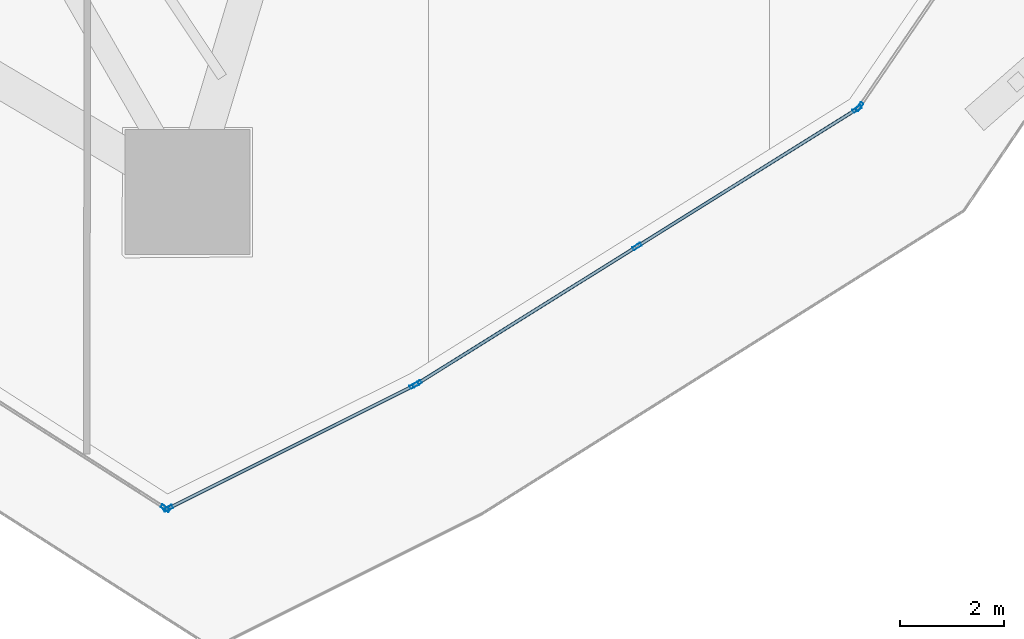
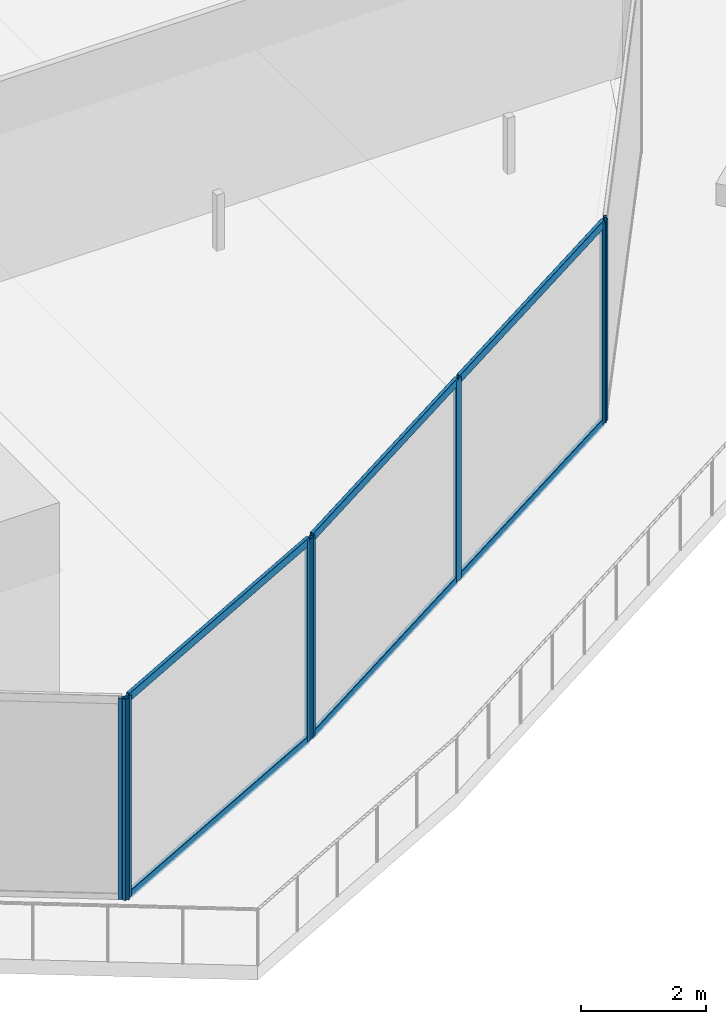
# One storey, part 10 of 44: 13 members, 4 elements without a shape of their own.
"""IFC4 building model written with IfcOpenShell, lengths in metres."""

from ifc_helpers import new_model, si_unit, direction, frame, origin, origin_2d, place, context, subcontext, project, spatial, hollow_rectangle, extrude, material, layer, layer_set, material_profile, profile_set, type_object, element, aggregate, save


model = new_model("IFC4")

# Units and contexts
model_context = context("Model", 3, precision=1e-05, world=origin(), true_north=direction((0.0, 1.0)))
body_context = subcontext(model_context, "Body", "Model", "MODEL_VIEW")
ifc_project = project(units=[si_unit("LENGTHUNIT", "METRE"), si_unit("AREAUNIT", "SQUARE_METRE"), si_unit("VOLUMEUNIT", "CUBIC_METRE"), si_unit("PLANEANGLEUNIT", "RADIAN"), si_unit("MASSUNIT", "GRAM", prefix="KILO")], contexts=[model_context])

# Site, building, storey
site_placement = place(None, origin())
site = spatial("IfcSite", under=ifc_project, at=site_placement, CompositionType="ELEMENT")
building_placement = place(site_placement, origin())
building = spatial("IfcBuilding", under=site, at=building_placement, Name="Qorvath Tower", CompositionType="ELEMENT")
storey_placement = place(building_placement, frame((0.0, 0.0, 45.0)))
storey = spatial("IfcBuildingStorey", under=building, at=storey_placement, Name="L09", CompositionType="ELEMENT", Elevation=45.0)

# Curtain wall, member
ifc_material_1 = material(Name="Anodised aluminium and triple low-E glass", Category="aluminium")
ifc_layer = layer(ifc_material_1, 0.179931640625)
ifc_layer_set = layer_set([ifc_layer], Name="CW-SYS-2")
curtain_wall_type = type_object("IfcCurtainWallType", Name="CW-SYS-2", PredefinedType="NOTDEFINED", material=ifc_layer_set)
curtain_wall_1_placement = place(storey_placement, origin())
curtain_wall_1 = element("IfcCurtainWall", 1, at=curtain_wall_1_placement, inside=storey, type_object=curtain_wall_type, Name="Curtain Wall CW-2 CW-T-L09-2.2", PredefinedType="NOTDEFINED")
ifc_material_2 = material(Name="Anodised aluminium 6063-T6", Category="aluminium")
ifc_material_profile_1 = material_profile(ifc_material_2, hollow_rectangle(XDim=0.06494140625, YDim=0.179931640625, WallThickness=0.00341796875, InnerFilletRadius=0.00341796875, OuterFilletRadius=0.007080078125, at=origin_2d()), Name="CWM 180x65")
ifc_profile_set_1 = profile_set([ifc_material_profile_1], Name="Anodised aluminium 6063-T6")
member_type_1 = type_object("IfcMemberType", Name="CWM-180", PredefinedType="MULLION", material=ifc_profile_set_1)
member_1_placement = place(storey_placement, frame((-14.891357421875, -33.390380859375, 0.0), z_axis=(0.0, 0.0, 1.0), x_axis=(0.538536571861, 0.842602136698, 0.0)))
member_1 = element("IfcMember", 2, at=member_1_placement, type_object=member_type_1, Name="CW-2 mullion 7", PredefinedType="MULLION", context=body_context, shape_type="SweptSolid", body=[
    extrude(hollow_rectangle(XDim=0.06494140625, YDim=0.179931640625, WallThickness=0.00341796875, InnerFilletRadius=0.00341796875, OuterFilletRadius=0.007080078125, at=origin_2d()), origin(), (0.0, 0.0, 1.0), 3.919921875),
])
aggregate(curtain_wall_1, [member_1])

# Curtain wall, members
curtain_wall_2_placement = place(storey_placement, origin())
curtain_wall_2 = element("IfcCurtainWall", 3, at=curtain_wall_2_placement, inside=storey, type_object=curtain_wall_type, Name="Curtain Wall CW-2 CW-T-L09-3.1", PredefinedType="NOTDEFINED")
member_2_placement = place(storey_placement, frame((-14.8349609375, -33.3935546875, 0.0), z_axis=(0.0, 0.0, 1.0), x_axis=(-0.447258573792, 0.89440470044, 0.0)))
member_2 = element("IfcMember", 4, at=member_2_placement, type_object=member_type_1, Name="CW-2 mullion 1", PredefinedType="MULLION", context=body_context, shape_type="SweptSolid", body=[
    extrude(hollow_rectangle(XDim=0.06494140625, YDim=0.179931640625, WallThickness=0.00341796875, InnerFilletRadius=0.00341796875, OuterFilletRadius=0.007080078125, at=origin_2d()), origin(), (0.0, 0.0, 1.0), 3.919921875),
])
member_3_placement = place(storey_placement, frame((-10.12060546875, -31.0361328125, 0.0), z_axis=(0.0, 0.0, 1.0), x_axis=(-0.447258573792, 0.89440470044, 0.0)))
member_3 = element("IfcMember", 5, at=member_3_placement, type_object=member_type_1, Name="CW-2 mullion 2", PredefinedType="MULLION", context=body_context, shape_type="SweptSolid", body=[
    extrude(hollow_rectangle(XDim=0.06494140625, YDim=0.179931640625, WallThickness=0.00341796875, InnerFilletRadius=0.00341796875, OuterFilletRadius=0.007080078125, at=origin_2d()), origin(), (0.0, 0.0, 1.0), 3.919921875),
])

curtain_wall_3_placement = place(storey_placement, origin())
curtain_wall_3 = element("IfcCurtainWall", 6, at=curtain_wall_3_placement, inside=storey, type_object=curtain_wall_type, Name="Curtain Wall CW-2 CW-T-L09-4.1", PredefinedType="NOTDEFINED")
member_4_placement = place(storey_placement, frame((-10.06396484375, -31.00439453125, 0.0), z_axis=(0.0, 0.0, 1.0), x_axis=(-0.529724040691, 0.848170054125, 0.0)))
member_4 = element("IfcMember", 7, at=member_4_placement, type_object=member_type_1, Name="CW-2 mullion 1", PredefinedType="MULLION", context=body_context, shape_type="SweptSolid", body=[
    extrude(hollow_rectangle(XDim=0.06494140625, YDim=0.179931640625, WallThickness=0.00341796875, InnerFilletRadius=0.00341796875, OuterFilletRadius=0.007080078125, at=origin_2d()), origin(), (0.0, 0.0, 1.0), 3.919921875),
])
member_5_placement = place(storey_placement, frame((-5.847900390625, -28.37109375, 0.0), z_axis=(0.0, 0.0, 1.0), x_axis=(-0.529724040691, 0.848170054125, 0.0)))
member_5 = element("IfcMember", 8, at=member_5_placement, type_object=member_type_1, Name="CW-2 mullion 2", PredefinedType="MULLION", context=body_context, shape_type="SweptSolid", body=[
    extrude(hollow_rectangle(XDim=0.06494140625, YDim=0.179931640625, WallThickness=0.00341796875, InnerFilletRadius=0.00341796875, OuterFilletRadius=0.007080078125, at=origin_2d()), origin(), (0.0, 0.0, 1.0), 3.919921875),
])
member_6_placement = place(storey_placement, frame((-1.6318359375, -25.738037109375, 0.0), z_axis=(0.0, 0.0, 1.0), x_axis=(-0.529724040691, 0.848170054125, 0.0)))
member_6 = element("IfcMember", 9, at=member_6_placement, type_object=member_type_1, Name="CW-2 mullion 3", PredefinedType="MULLION", context=body_context, shape_type="SweptSolid", body=[
    extrude(hollow_rectangle(XDim=0.06494140625, YDim=0.179931640625, WallThickness=0.00341796875, InnerFilletRadius=0.00341796875, OuterFilletRadius=0.007080078125, at=origin_2d()), origin(), (0.0, 0.0, 1.0), 3.919921875),
])

# Curtain wall, member
curtain_wall_4_placement = place(storey_placement, origin())
curtain_wall_4 = element("IfcCurtainWall", 10, at=curtain_wall_4_placement, inside=storey, type_object=curtain_wall_type, Name="Curtain Wall CW-2 CW-T-L09-5.1", PredefinedType="NOTDEFINED")
member_7_placement = place(storey_placement, frame((-1.5859375, -25.69384765625, 0.0), z_axis=(0.0, 0.0, 1.0), x_axis=(-0.825849008834, 0.563891314535, 0.0)))
member_7 = element("IfcMember", 11, at=member_7_placement, type_object=member_type_1, Name="CW-2 mullion 1", PredefinedType="MULLION", context=body_context, shape_type="SweptSolid", body=[
    extrude(hollow_rectangle(XDim=0.06494140625, YDim=0.179931640625, WallThickness=0.00341796875, InnerFilletRadius=0.00341796875, OuterFilletRadius=0.007080078125, at=origin_2d()), origin(), (0.0, 0.0, 1.0), 3.919921875),
])
aggregate(curtain_wall_4, [member_7])

# Member
ifc_material_3 = material(Name="Anodised aluminium 6063-T6", Category="aluminium")
ifc_material_profile_2 = material_profile(ifc_material_3, hollow_rectangle(XDim=0.06494140625, YDim=0.159912109375, WallThickness=0.00341796875, InnerFilletRadius=0.00341796875, OuterFilletRadius=0.007080078125, at=origin_2d()), Name="CWT 160x65")
ifc_profile_set_2 = profile_set([ifc_material_profile_2], Name="Anodised aluminium 6063-T6")
member_type_2 = type_object("IfcMemberType", Name="CWT-160", PredefinedType="USERDEFINED", material=ifc_profile_set_2)
member_8_placement = place(storey_placement, frame((-14.805908203125, -33.37890625, 0.032470703125), z_axis=(0.894408431647, 0.447251112239, 0.0), x_axis=(-0.447251112239, 0.894408431647, 0.0)))
member_8 = element("IfcMember", 12, at=member_8_placement, type_object=member_type_2, Name="CW-2 transom 1.1", ObjectType="TRANSOM", PredefinedType="USERDEFINED", context=body_context, shape_type="SweptSolid", body=[
    extrude(hollow_rectangle(XDim=0.06494140625, YDim=0.159912109375, WallThickness=0.00341796875, InnerFilletRadius=0.00341796875, OuterFilletRadius=0.007080078125, at=origin_2d()), origin(), (0.0, 0.0, 1.0), 5.2060546875),
])

member_9_placement = place(storey_placement, frame((-14.805908203125, -33.37890625, 3.887451171875), z_axis=(0.894408431647, 0.447251112239, 0.0), x_axis=(-0.447251112239, 0.894408431647, 0.0)))
member_9 = element("IfcMember", 13, at=member_9_placement, type_object=member_type_2, Name="CW-2 transom 1.2", ObjectType="TRANSOM", PredefinedType="USERDEFINED", context=body_context, shape_type="SweptSolid", body=[
    extrude(hollow_rectangle(XDim=0.06494140625, YDim=0.159912109375, WallThickness=0.00341796875, InnerFilletRadius=0.00341796875, OuterFilletRadius=0.007080078125, at=origin_2d()), origin(), (0.0, 0.0, 1.0), 5.2060546875),
])

aggregate(curtain_wall_2, [member_2, member_3, member_8, member_9])

member_10_placement = place(storey_placement, frame((-10.036376953125, -30.987060546875, 0.032470703125), z_axis=(0.848174397851, 0.52971708565, 0.0), x_axis=(-0.52971708565, 0.848174397851, 0.0)))
member_10 = element("IfcMember", 14, at=member_10_placement, type_object=member_type_2, Name="CW-2 transom 1.1", ObjectType="TRANSOM", PredefinedType="USERDEFINED", context=body_context, shape_type="SweptSolid", body=[
    extrude(hollow_rectangle(XDim=0.06494140625, YDim=0.159912109375, WallThickness=0.00341796875, InnerFilletRadius=0.00341796875, OuterFilletRadius=0.007080078125, at=origin_2d()), origin(), (0.0, 0.0, 1.0), 4.90576171875),
])

member_11_placement = place(storey_placement, frame((-10.036376953125, -30.987060546875, 3.887451171875), z_axis=(0.848174397851, 0.52971708565, 0.0), x_axis=(-0.52971708565, 0.848174397851, 0.0)))
member_11 = element("IfcMember", 15, at=member_11_placement, type_object=member_type_2, Name="CW-2 transom 1.2", ObjectType="TRANSOM", PredefinedType="USERDEFINED", context=body_context, shape_type="SweptSolid", body=[
    extrude(hollow_rectangle(XDim=0.06494140625, YDim=0.159912109375, WallThickness=0.00341796875, InnerFilletRadius=0.00341796875, OuterFilletRadius=0.007080078125, at=origin_2d()), origin(), (0.0, 0.0, 1.0), 4.90576171875),
])

member_12_placement = place(storey_placement, frame((-5.8203125, -28.35400390625, 0.032470703125), z_axis=(0.848152037868, 0.529752886411, 0.0), x_axis=(-0.529752886411, 0.848152037868, 0.0)))
member_12 = element("IfcMember", 16, at=member_12_placement, type_object=member_type_2, Name="CW-2 transom 2.1", ObjectType="TRANSOM", PredefinedType="USERDEFINED", context=body_context, shape_type="SweptSolid", body=[
    extrude(hollow_rectangle(XDim=0.06494140625, YDim=0.159912109375, WallThickness=0.00341796875, InnerFilletRadius=0.00341796875, OuterFilletRadius=0.007080078125, at=origin_2d()), origin(), (0.0, 0.0, 1.0), 4.90576171875),
])

member_13_placement = place(storey_placement, frame((-5.8203125, -28.35400390625, 3.887451171875), z_axis=(0.848152037868, 0.529752886411, 0.0), x_axis=(-0.529752886411, 0.848152037868, 0.0)))
member_13 = element("IfcMember", 17, at=member_13_placement, type_object=member_type_2, Name="CW-2 transom 2.2", ObjectType="TRANSOM", PredefinedType="USERDEFINED", context=body_context, shape_type="SweptSolid", body=[
    extrude(hollow_rectangle(XDim=0.06494140625, YDim=0.159912109375, WallThickness=0.00341796875, InnerFilletRadius=0.00341796875, OuterFilletRadius=0.007080078125, at=origin_2d()), origin(), (0.0, 0.0, 1.0), 4.90576171875),
])

aggregate(curtain_wall_3, [member_4, member_5, member_6, member_10, member_11, member_12, member_13])

save(model, "model.ifc")
